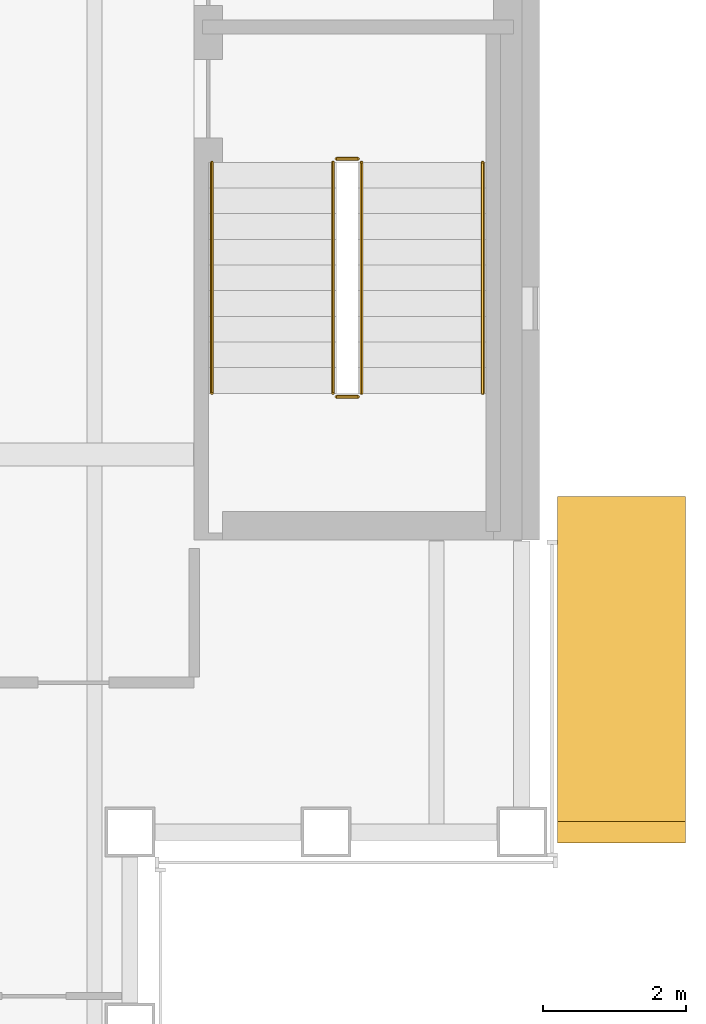
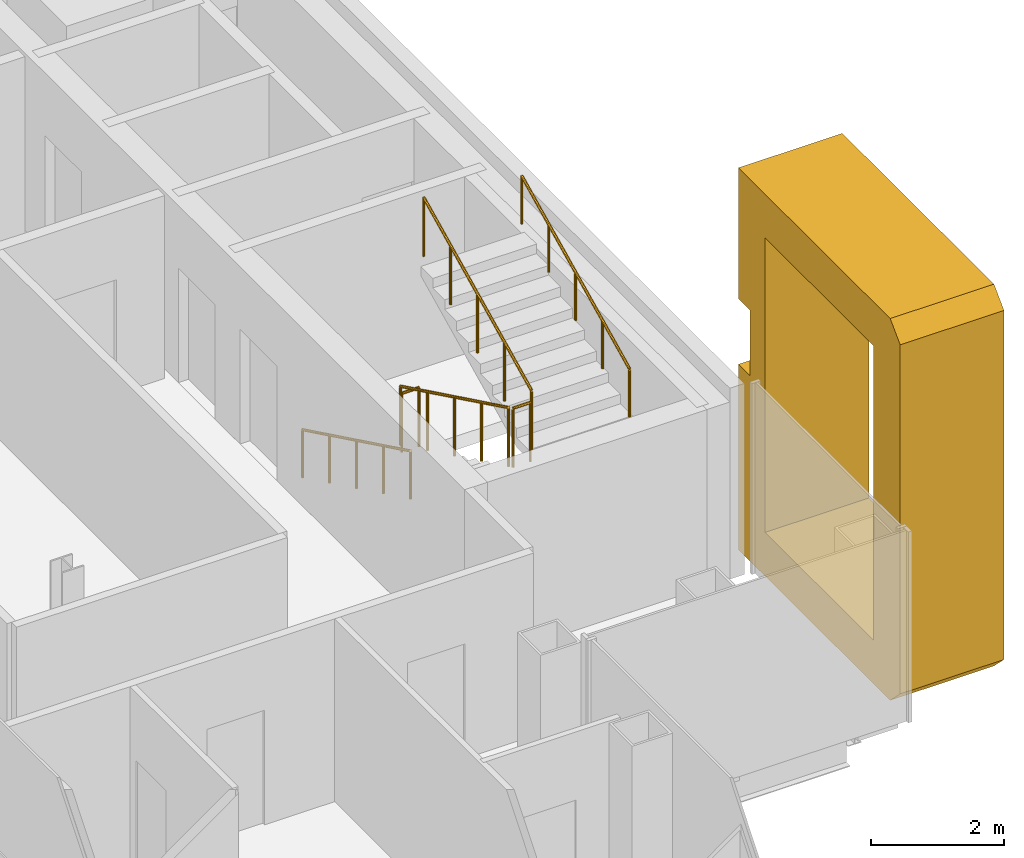
# One storey, part 15 of 17: 6 railings, 1 covering.
"""IFC4 building model written with IfcOpenShell, lengths in metres."""

from ifc_helpers import new_model, si_unit, direction, frame, origin, origin_2d, place, context, subcontext, project, spatial, polyline, circle, outline, extrude, material, type_object, element, save


model = new_model("IFC4")

# Units and contexts
model_context = context("Model", 3, precision=1e-05, world=origin(), true_north=direction((0.0, 1.0)))
body_context = subcontext(model_context, "Body", "Model", "MODEL_VIEW")
ifc_project = project(units=[si_unit("LENGTHUNIT", "METRE"), si_unit("AREAUNIT", "SQUARE_METRE"), si_unit("VOLUMEUNIT", "CUBIC_METRE"), si_unit("PLANEANGLEUNIT", "RADIAN"), si_unit("MASSUNIT", "GRAM", prefix="KILO")], contexts=[model_context])

# Site, building, storey
site_placement = place(None, origin())
site = spatial("IfcSite", under=ifc_project, at=site_placement, CompositionType="ELEMENT")
building_placement = place(site_placement, origin())
building = spatial("IfcBuilding", under=site, at=building_placement, Name="Cobrizo Arcos Hotel Tower", CompositionType="ELEMENT")
storey_placement = place(building_placement, frame((0.0, 0.0, 226.0)))
storey = spatial("IfcBuildingStorey", under=building, at=storey_placement, Name="L59", CompositionType="ELEMENT", Elevation=226.0)

# Covering
ifc_material_1 = material(Name="Aluminium 6063-T6 anodised bronze", Category="aluminium")
covering_type = type_object("IfcCoveringType", Name="FIN-F 1800", PredefinedType="CLADDING", material=ifc_material_1)
covering_placement = place(storey_placement, frame((20.89990234375, -15.050048828125, 0.0), z_axis=(1.0, 0.0, 0.0), x_axis=(0.0, 1.0, 0.0)))
element("IfcCovering", 1, at=covering_placement, inside=storey, type_object=covering_type, Name="Fin frame 323", PredefinedType="CLADDING", context=body_context, shape_type="SweptSolid", body=[
    extrude(outline(polyline([(4.8583984375, 0.0), (4.8583984375, 3.39794921875), (4.5146484375, 3.39794921875), (4.5146484375, 4.60205078125), (4.8583984375, 4.60205078125), (4.8583984375, 7.0), (0.300048828125, 7.0), (0.0, 6.699951171875), (0.0, 0.300048828125), (0.300048828125, 0.0), (4.8583984375, 0.0)]), holes=[polyline([(4.058349609375, 0.800048828125), (0.800048828125, 0.800048828125), (0.800048828125, 6.199951171875), (4.058349609375, 6.199951171875), (4.058349609375, 0.800048828125)])]), origin(), (0.0, 0.0, 1.0), 1.800048828125),
])

# Railings
ifc_material_2 = material(Name="Stainless steel railing", Category="steel")
railing_type_1 = type_object("IfcRailingType", Name="Stair guard 1100", PredefinedType="GUARDRAIL", material=ifc_material_2)
railing_1_placement = place(storey_placement, frame((17.75, -5.5, 0.175048828125)))
element("IfcRailing", 2, at=railing_1_placement, inside=storey, type_object=railing_type_1, Name="L59 ST-E stair guard 1", PredefinedType="GUARDRAIL", context=body_context, shape_type="SweptSolid", body=[
    extrude(circle(Radius=0.02392578125, at=origin_2d()), frame((0.0, 0.0, 1.076171875), z_axis=(0.0, -0.899372665325, 0.437182809435), x_axis=(1.0, 0.0, 0.0)), (0.0, 0.0, 1.0), 3.6025390625),
    extrude(circle(Radius=0.02099609375, at=origin_2d()), origin(), (0.0, 0.0, 1.0), 1.052001953125),
    extrude(circle(Radius=0.02099609375, at=origin_2d()), frame((0.0, -0.81005859375, 0.393798828125)), (0.0, 0.0, 1.0), 1.052001953125),
    extrude(circle(Radius=0.02099609375, at=origin_2d()), frame((0.0, -1.6201171875, 0.78759765625)), (0.0, 0.0, 1.0), 1.052001953125),
    extrude(circle(Radius=0.02099609375, at=origin_2d()), frame((0.0, -2.429931640625, 1.18115234375)), (0.0, 0.0, 1.0), 1.052001953125),
    extrude(circle(Radius=0.02099609375, at=origin_2d()), frame((0.0, -3.239990234375, 1.574951171875)), (0.0, 0.0, 1.0), 1.052001953125),
])
railing_2_placement = place(storey_placement, frame((17.800048828125, -8.7900390625, 1.75)))
element("IfcRailing", 3, at=railing_2_placement, inside=storey, type_object=railing_type_1, Name="L59 ST-E stair guard 2", PredefinedType="GUARDRAIL", context=body_context, shape_type="SweptSolid", body=[
    extrude(circle(Radius=0.02392578125, at=origin_2d()), frame((0.0, 0.0, 1.076171875), z_axis=(1.0, 0.0, 0.0), x_axis=(0.0, 1.0, 0.0)), (0.0, 0.0, 1.0), 0.300048828125),
    extrude(circle(Radius=0.02099609375, at=origin_2d()), origin(), (0.0, 0.0, 1.0), 1.052001953125),
    extrude(circle(Radius=0.02099609375, at=origin_2d()), frame((0.300048828125, 0.0, 0.0)), (0.0, 0.0, 1.0), 1.052001953125),
])
railing_3_placement = place(storey_placement, frame((18.14990234375, -8.739990234375, 1.925048828125)))
element("IfcRailing", 4, at=railing_3_placement, inside=storey, type_object=railing_type_1, Name="L59 ST-E stair guard 3", PredefinedType="GUARDRAIL", context=body_context, shape_type="SweptSolid", body=[
    extrude(circle(Radius=0.02392578125, at=origin_2d()), frame((0.0, 0.0, 1.076171875), z_axis=(0.0, 0.899372665325, 0.437182809435), x_axis=(-1.0, 0.0, 0.0)), (0.0, 0.0, 1.0), 3.6025390625),
    extrude(circle(Radius=0.02099609375, at=origin_2d()), origin(), (0.0, 0.0, 1.0), 1.052001953125),
    extrude(circle(Radius=0.02099609375, at=origin_2d()), frame((0.0, 0.81005859375, 0.393798828125)), (0.0, 0.0, 1.0), 1.052001953125),
    extrude(circle(Radius=0.02099609375, at=origin_2d()), frame((0.0, 1.6201171875, 0.78759765625)), (0.0, 0.0, 1.0), 1.052001953125),
    extrude(circle(Radius=0.02099609375, at=origin_2d()), frame((0.0, 2.429931640625, 1.18115234375)), (0.0, 0.0, 1.0), 1.052001953125),
    extrude(circle(Radius=0.02099609375, at=origin_2d()), frame((0.0, 3.239990234375, 1.574951171875)), (0.0, 0.0, 1.0), 1.052001953125),
])
railing_4_placement = place(storey_placement, frame((17.800048828125, -5.449951171875, 0.0)))
element("IfcRailing", 5, at=railing_4_placement, inside=storey, type_object=railing_type_1, Name="L59 ST-E stair guard 4", PredefinedType="GUARDRAIL", context=body_context, shape_type="SweptSolid", body=[
    extrude(circle(Radius=0.02392578125, at=origin_2d()), frame((0.0, 0.0, 1.076171875), z_axis=(1.0, 0.0, 0.0), x_axis=(0.0, 1.0, 0.0)), (0.0, 0.0, 1.0), 0.300048828125),
    extrude(circle(Radius=0.02099609375, at=origin_2d()), origin(), (0.0, 0.0, 1.0), 1.052001953125),
    extrude(circle(Radius=0.02099609375, at=origin_2d()), frame((0.300048828125, 0.0, 0.0)), (0.0, 0.0, 1.0), 1.052001953125),
])
railing_type_2 = type_object("IfcRailingType", Name="Stair handrail", PredefinedType="HANDRAIL", material=ifc_material_2)
railing_5_placement = place(storey_placement, frame((16.050048828125, -5.5, 0.175048828125)))
element("IfcRailing", 6, at=railing_5_placement, inside=storey, type_object=railing_type_2, Name="L59 ST-E stair handrail 1", PredefinedType="HANDRAIL", context=body_context, shape_type="SweptSolid", body=[
    extrude(circle(Radius=0.02392578125, at=origin_2d()), frame((0.0, 0.0, 0.8759765625), z_axis=(0.0, -0.899372665325, 0.437182809435), x_axis=(1.0, 0.0, 0.0)), (0.0, 0.0, 1.0), 3.6025390625),
    extrude(circle(Radius=0.02099609375, at=origin_2d()), origin(), (0.0, 0.0, 1.0), 0.851806640625),
    extrude(circle(Radius=0.02099609375, at=origin_2d()), frame((0.0, -0.81005859375, 0.393798828125)), (0.0, 0.0, 1.0), 0.851806640625),
    extrude(circle(Radius=0.02099609375, at=origin_2d()), frame((0.0, -1.6201171875, 0.78759765625)), (0.0, 0.0, 1.0), 0.851806640625),
    extrude(circle(Radius=0.02099609375, at=origin_2d()), frame((0.0, -2.429931640625, 1.18115234375)), (0.0, 0.0, 1.0), 0.851806640625),
    extrude(circle(Radius=0.02099609375, at=origin_2d()), frame((0.0, -3.239990234375, 1.574951171875)), (0.0, 0.0, 1.0), 0.851806640625),
])
railing_6_placement = place(storey_placement, frame((19.85009765625, -8.739990234375, 1.925048828125)))
element("IfcRailing", 7, at=railing_6_placement, inside=storey, type_object=railing_type_2, Name="L59 ST-E stair handrail 2", PredefinedType="HANDRAIL", context=body_context, shape_type="SweptSolid", body=[
    extrude(circle(Radius=0.02392578125, at=origin_2d()), frame((0.0, 0.0, 0.8759765625), z_axis=(0.0, 0.899372665325, 0.437182809435), x_axis=(-1.0, 0.0, 0.0)), (0.0, 0.0, 1.0), 3.6025390625),
    extrude(circle(Radius=0.02099609375, at=origin_2d()), origin(), (0.0, 0.0, 1.0), 0.851806640625),
    extrude(circle(Radius=0.02099609375, at=origin_2d()), frame((0.0, 0.81005859375, 0.393798828125)), (0.0, 0.0, 1.0), 0.851806640625),
    extrude(circle(Radius=0.02099609375, at=origin_2d()), frame((0.0, 1.6201171875, 0.78759765625)), (0.0, 0.0, 1.0), 0.851806640625),
    extrude(circle(Radius=0.02099609375, at=origin_2d()), frame((0.0, 2.429931640625, 1.18115234375)), (0.0, 0.0, 1.0), 0.851806640625),
    extrude(circle(Radius=0.02099609375, at=origin_2d()), frame((0.0, 3.239990234375, 1.574951171875)), (0.0, 0.0, 1.0), 0.851806640625),
])

save(model, "model.ifc")
